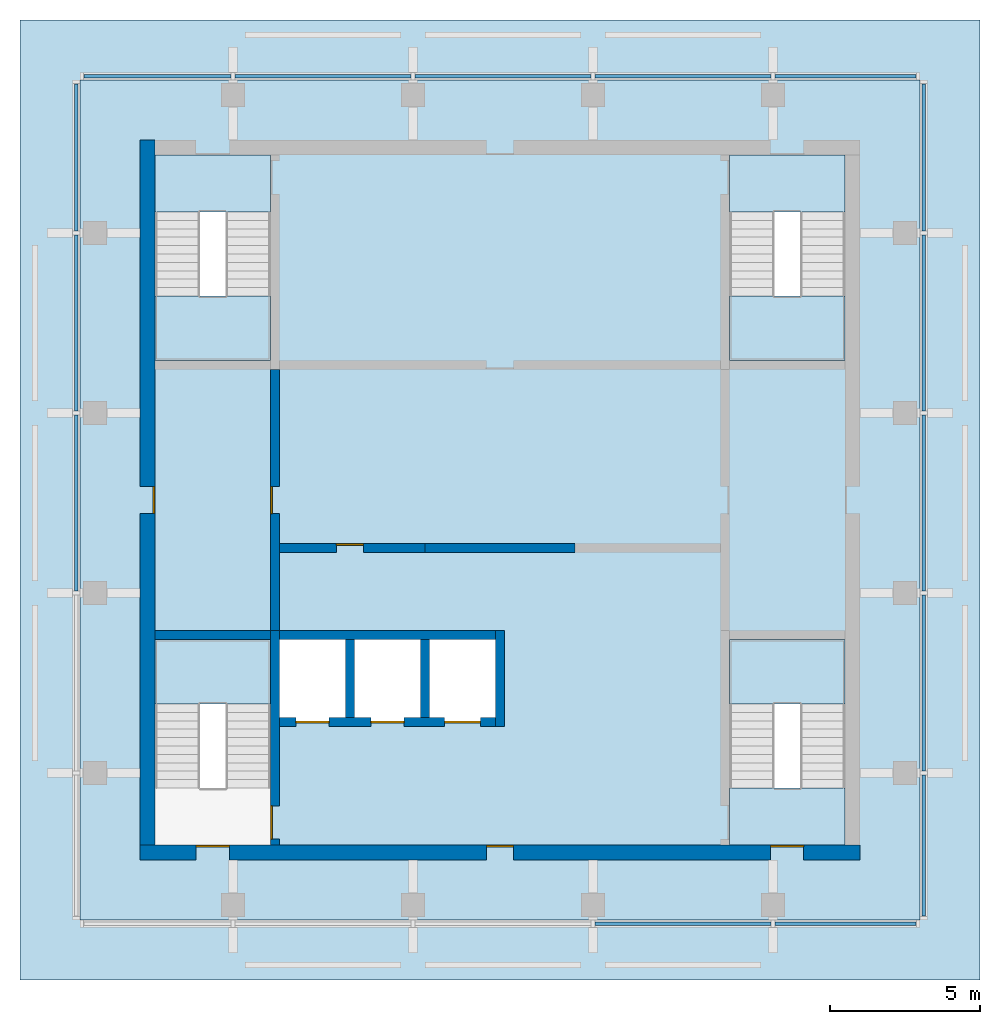
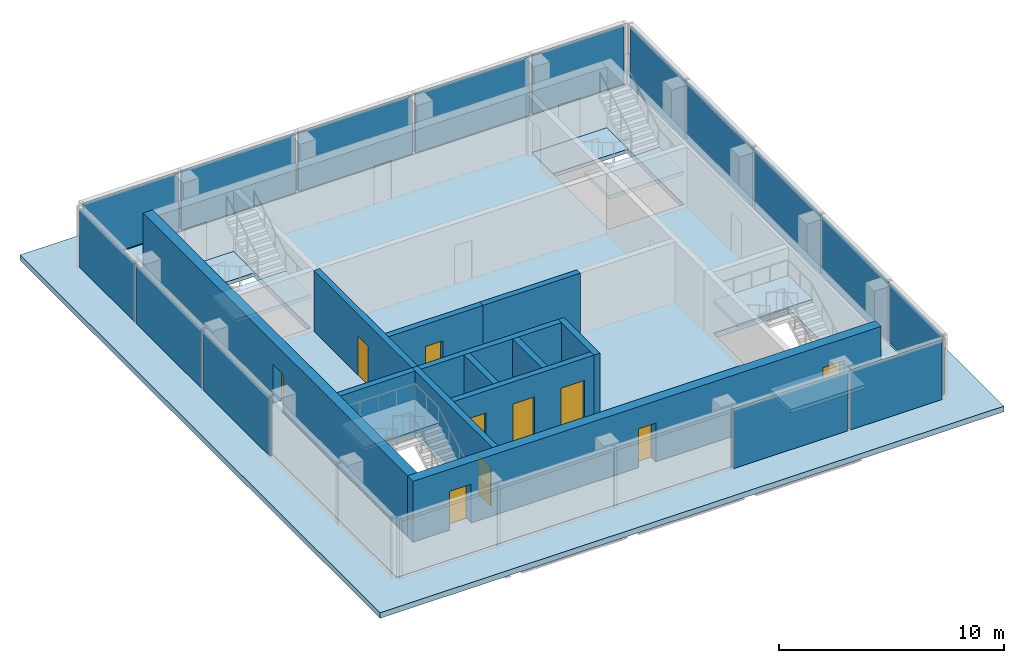
# One storey, part 2 of 4: 15 plates, 12 walls, 10 doors, 9 slabs, 10 openings, 8 elements without a shape of their own.
"""IFC4 building model written with IfcOpenShell, lengths in metres."""

from ifc_helpers import new_model, si_unit, direction, frame, frame_2d, origin, origin_2d, place, context, subcontext, project, spatial, polyline, rectangle, outline, extrude, material, layer, layer_set, type_object, element, fill, aggregate, save


model = new_model("IFC4")

# Units and contexts
model_context = context("Model", 3, precision=1e-05, world=origin(), true_north=direction((0.0, 1.0)))
body_context = subcontext(model_context, "Body", "Model", "MODEL_VIEW")
ifc_project = project(units=[si_unit("LENGTHUNIT", "METRE"), si_unit("AREAUNIT", "SQUARE_METRE"), si_unit("VOLUMEUNIT", "CUBIC_METRE"), si_unit("PLANEANGLEUNIT", "RADIAN"), si_unit("MASSUNIT", "GRAM", prefix="KILO")], contexts=[model_context])

# Site, building, storey
site_placement = place(None, origin())
site = spatial("IfcSite", under=ifc_project, at=site_placement, CompositionType="ELEMENT")
building_placement = place(site_placement, origin())
building = spatial("IfcBuilding", under=site, at=building_placement, Name="Amberfall Residences", CompositionType="ELEMENT")
storey_placement = place(building_placement, frame((0.0, 0.0, 298.0)))
storey = spatial("IfcBuildingStorey", under=building, at=storey_placement, Name="L80 Crown", CompositionType="ELEMENT", Elevation=298.0)

# Curtain wall, plates
ifc_material_1 = material(Name="Bronze anodised aluminium and glass", Category="aluminium")
curtain_wall_type = type_object("IfcCurtainWallType", Name="Curtain wall CW6 crown louvre", PredefinedType="USERDEFINED", material=ifc_material_1)
curtain_wall_1_placement = place(storey_placement, origin())
curtain_wall_1 = element("IfcCurtainWall", 1, at=curtain_wall_1_placement, inside=storey, type_object=curtain_wall_type, Name="Curtain wall L80 Crown S S1", ObjectType="UNITISED CURTAIN WALL", PredefinedType="USERDEFINED")
ifc_material_2 = material(Name="Bronze aluminium louvre", Category="aluminium")
ifc_layer_1 = layer(ifc_material_2, 0.1201171875)
ifc_layer_set_1 = layer_set([ifc_layer_1], Name="CW6 panel 120 louvre")
plate_type = type_object("IfcPlateType", Name="CW6 panel 120 louvre", PredefinedType="CURTAIN_PANEL", material=ifc_layer_set_1)
plate_1_placement = place(storey_placement, frame((80.60009765625, 31.375, 0.0), z_axis=(0.0, 0.0, 1.0), x_axis=(1.0, 0.0, 0.0)))
plate_1 = element("IfcPlate", 2, at=plate_1_placement, type_object=plate_type, Name="CW6 panel 4.1", PredefinedType="CURTAIN_PANEL", context=body_context, shape_type="SweptSolid", body=[
    extrude(rectangle(XDim=5.85595703125, YDim=0.1201171875, at=origin_2d()), origin(), (0.0, 0.0, 1.0), 3.14990234375),
])
plate_2_placement = place(storey_placement, frame((86.02001953125, 31.375, 0.0), z_axis=(0.0, 0.0, 1.0), x_axis=(1.0, 0.0, 0.0)))
plate_2 = element("IfcPlate", 3, at=plate_2_placement, type_object=plate_type, Name="CW6 panel 5.1", PredefinedType="CURTAIN_PANEL", context=body_context, shape_type="SweptSolid", body=[
    extrude(rectangle(XDim=4.696044921875, YDim=0.1201171875, at=origin_2d()), origin(), (0.0, 0.0, 1.0), 3.14990234375),
])
aggregate(curtain_wall_1, [plate_1, plate_2])

curtain_wall_2_placement = place(storey_placement, origin())
curtain_wall_2 = element("IfcCurtainWall", 4, at=curtain_wall_2_placement, inside=storey, type_object=curtain_wall_type, Name="Curtain wall L80 Crown E E1", ObjectType="UNITISED CURTAIN WALL", PredefinedType="USERDEFINED")
plate_3_placement = place(storey_placement, frame((88.625, 33.97998046875, 0.0), z_axis=(0.0, 0.0, 1.0), x_axis=(0.0, 1.0, 0.0)))
plate_3 = element("IfcPlate", 5, at=plate_3_placement, type_object=plate_type, Name="CW6 panel 1.1", PredefinedType="CURTAIN_PANEL", context=body_context, shape_type="SweptSolid", body=[
    extrude(rectangle(XDim=4.696044921875, YDim=0.1201171875, at=origin_2d()), origin(), (0.0, 0.0, 1.0), 3.14990234375),
])
plate_4_placement = place(storey_placement, frame((88.625, 39.39990234375, 0.0), z_axis=(0.0, 0.0, 1.0), x_axis=(0.0, 1.0, 0.0)))
plate_4 = element("IfcPlate", 6, at=plate_4_placement, type_object=plate_type, Name="CW6 panel 2.1", PredefinedType="CURTAIN_PANEL", context=body_context, shape_type="SweptSolid", body=[
    extrude(rectangle(XDim=5.85595703125, YDim=0.1201171875, at=origin_2d()), origin(), (0.0, 0.0, 1.0), 3.14990234375),
])
plate_5_placement = place(storey_placement, frame((88.625, 45.39990234375, 0.0), z_axis=(0.0, 0.0, 1.0), x_axis=(0.0, 1.0, 0.0)))
plate_5 = element("IfcPlate", 7, at=plate_5_placement, type_object=plate_type, Name="CW6 panel 3.1", PredefinedType="CURTAIN_PANEL", context=body_context, shape_type="SweptSolid", body=[
    extrude(rectangle(XDim=5.85595703125, YDim=0.1201171875, at=origin_2d()), origin(), (0.0, 0.0, 1.0), 3.14990234375),
])
plate_6_placement = place(storey_placement, frame((88.625, 51.39990234375, 0.0), z_axis=(0.0, 0.0, 1.0), x_axis=(0.0, 1.0, 0.0)))
plate_6 = element("IfcPlate", 8, at=plate_6_placement, type_object=plate_type, Name="CW6 panel 4.1", PredefinedType="CURTAIN_PANEL", context=body_context, shape_type="SweptSolid", body=[
    extrude(rectangle(XDim=5.85595703125, YDim=0.1201171875, at=origin_2d()), origin(), (0.0, 0.0, 1.0), 3.14990234375),
])
plate_7_placement = place(storey_placement, frame((88.625, 56.919921875, 0.0), z_axis=(0.0, 0.0, 1.0), x_axis=(0.0, 1.0, 0.0)))
plate_7 = element("IfcPlate", 9, at=plate_7_placement, type_object=plate_type, Name="CW6 panel 5.1", PredefinedType="CURTAIN_PANEL", context=body_context, shape_type="SweptSolid", body=[
    extrude(rectangle(XDim=4.89599609375, YDim=0.1201171875, at=origin_2d()), origin(), (0.0, 0.0, 1.0), 3.14990234375),
])
aggregate(curtain_wall_2, [plate_3, plate_4, plate_5, plate_6, plate_7])

curtain_wall_3_placement = place(storey_placement, origin())
curtain_wall_3 = element("IfcCurtainWall", 10, at=curtain_wall_3_placement, inside=storey, type_object=curtain_wall_type, Name="Curtain wall L80 Crown N N1", ObjectType="UNITISED CURTAIN WALL", PredefinedType="USERDEFINED")
plate_8_placement = place(storey_placement, frame((86.02001953125, 59.625, 0.0), z_axis=(0.0, 0.0, 1.0), x_axis=(-1.0, 0.0, 0.0)))
plate_8 = element("IfcPlate", 11, at=plate_8_placement, type_object=plate_type, Name="CW6 panel 1.1", PredefinedType="CURTAIN_PANEL", context=body_context, shape_type="SweptSolid", body=[
    extrude(rectangle(XDim=4.696044921875, YDim=0.1201171875, at=origin_2d()), origin(), (0.0, 0.0, 1.0), 3.14990234375),
])
plate_9_placement = place(storey_placement, frame((80.60009765625, 59.625, 0.0), z_axis=(0.0, 0.0, 1.0), x_axis=(-1.0, 0.0, 0.0)))
plate_9 = element("IfcPlate", 12, at=plate_9_placement, type_object=plate_type, Name="CW6 panel 2.1", PredefinedType="CURTAIN_PANEL", context=body_context, shape_type="SweptSolid", body=[
    extrude(rectangle(XDim=5.85595703125, YDim=0.1201171875, at=origin_2d()), origin(), (0.0, 0.0, 1.0), 3.14990234375),
])
plate_10_placement = place(storey_placement, frame((74.60009765625, 59.625, 0.0), z_axis=(0.0, 0.0, 1.0), x_axis=(-1.0, 0.0, 0.0)))
plate_10 = element("IfcPlate", 13, at=plate_10_placement, type_object=plate_type, Name="CW6 panel 3.1", PredefinedType="CURTAIN_PANEL", context=body_context, shape_type="SweptSolid", body=[
    extrude(rectangle(XDim=5.85595703125, YDim=0.1201171875, at=origin_2d()), origin(), (0.0, 0.0, 1.0), 3.14990234375),
])
plate_11_placement = place(storey_placement, frame((68.60009765625, 59.625, 0.0), z_axis=(0.0, 0.0, 1.0), x_axis=(-1.0, 0.0, 0.0)))
plate_11 = element("IfcPlate", 14, at=plate_11_placement, type_object=plate_type, Name="CW6 panel 4.1", PredefinedType="CURTAIN_PANEL", context=body_context, shape_type="SweptSolid", body=[
    extrude(rectangle(XDim=5.85595703125, YDim=0.1201171875, at=origin_2d()), origin(), (0.0, 0.0, 1.0), 3.14990234375),
])
plate_12_placement = place(storey_placement, frame((63.080078125, 59.625, 0.0), z_axis=(0.0, 0.0, 1.0), x_axis=(-1.0, 0.0, 0.0)))
plate_12 = element("IfcPlate", 15, at=plate_12_placement, type_object=plate_type, Name="CW6 panel 5.1", PredefinedType="CURTAIN_PANEL", context=body_context, shape_type="SweptSolid", body=[
    extrude(rectangle(XDim=4.89599609375, YDim=0.1201171875, at=origin_2d()), origin(), (0.0, 0.0, 1.0), 3.14990234375),
])
aggregate(curtain_wall_3, [plate_8, plate_9, plate_10, plate_11, plate_12])

curtain_wall_4_placement = place(storey_placement, origin())
curtain_wall_4 = element("IfcCurtainWall", 16, at=curtain_wall_4_placement, inside=storey, type_object=curtain_wall_type, Name="Curtain wall L80 Crown W W1", ObjectType="UNITISED CURTAIN WALL", PredefinedType="USERDEFINED")
plate_13_placement = place(storey_placement, frame((60.375, 56.919921875, 0.0), z_axis=(0.0, 0.0, 1.0), x_axis=(0.0, -1.0, 0.0)))
plate_13 = element("IfcPlate", 17, at=plate_13_placement, type_object=plate_type, Name="CW6 panel 1.1", PredefinedType="CURTAIN_PANEL", context=body_context, shape_type="SweptSolid", body=[
    extrude(rectangle(XDim=4.89599609375, YDim=0.1201171875, at=origin_2d()), origin(), (0.0, 0.0, 1.0), 3.14990234375),
])
plate_14_placement = place(storey_placement, frame((60.375, 51.39990234375, 0.0), z_axis=(0.0, 0.0, 1.0), x_axis=(0.0, -1.0, 0.0)))
plate_14 = element("IfcPlate", 18, at=plate_14_placement, type_object=plate_type, Name="CW6 panel 2.1", PredefinedType="CURTAIN_PANEL", context=body_context, shape_type="SweptSolid", body=[
    extrude(rectangle(XDim=5.85595703125, YDim=0.1201171875, at=origin_2d()), origin(), (0.0, 0.0, 1.0), 3.14990234375),
])
plate_15_placement = place(storey_placement, frame((60.375, 45.39990234375, 0.0), z_axis=(0.0, 0.0, 1.0), x_axis=(0.0, -1.0, 0.0)))
plate_15 = element("IfcPlate", 19, at=plate_15_placement, type_object=plate_type, Name="CW6 panel 3.1", PredefinedType="CURTAIN_PANEL", context=body_context, shape_type="SweptSolid", body=[
    extrude(rectangle(XDim=5.85595703125, YDim=0.1201171875, at=origin_2d()), origin(), (0.0, 0.0, 1.0), 3.14990234375),
])
aggregate(curtain_wall_4, [plate_13, plate_14, plate_15])

# Slabs
ifc_material_3 = material(Name="Concrete C50", Category="concrete")
ifc_layer_2 = layer(ifc_material_3, 0.300048828125)
ifc_layer_set_2 = layer_set([ifc_layer_2], Name="Crown floor slab 300 C50")
slab_type_1 = type_object("IfcSlabType", Name="Crown floor slab 300 C50", PredefinedType="FLOOR", material=ifc_layer_set_2)
slab_1_placement = place(storey_placement, frame((0.0, 0.0, -0.300048828125)))
element("IfcSlab", 20, at=slab_1_placement, inside=storey, type_object=slab_type_1, Name="Floor slab S22 L80 Crown", PredefinedType="FLOOR", context=body_context, shape_type="SweptSolid", body=[
    extrude(outline(polyline([(60.5, 59.5), (88.5, 59.5), (88.5, 31.5), (60.5, 31.5), (60.5, 59.5)]), holes=[polyline([(86.0, 40.85009765625), (82.14990234375, 40.85009765625), (82.14990234375, 34.0), (86.0, 34.0), (86.0, 40.85009765625)]), polyline([(86.0, 57.0), (82.14990234375, 57.0), (82.14990234375, 50.14990234375), (86.0, 50.14990234375), (86.0, 57.0)]), polyline([(69.5, 38.10009765625), (72.0, 38.10009765625), (74.5, 38.10009765625), (74.5, 41.0), (72.0, 41.0), (69.5, 41.0), (67.0, 41.0), (67.0, 38.10009765625), (69.5, 38.10009765625)]), polyline([(63.0, 40.85009765625), (63.0, 34.0), (66.85009765625, 34.0), (66.85009765625, 40.85009765625), (63.0, 40.85009765625)]), polyline([(66.85009765625, 57.0), (63.0, 57.0), (63.0, 50.14990234375), (66.85009765625, 50.14990234375), (66.85009765625, 57.0)])]), origin(), (0.0, 0.0, 1.0), 0.300048828125),
])
ifc_layer_3 = layer(ifc_material_3, 0.300048828125)
ifc_layer_set_3 = layer_set([ifc_layer_3], Name="Roof slab 300 C50")
slab_type_2 = type_object("IfcSlabType", Name="Roof slab 300 C50", PredefinedType="ROOF", material=ifc_layer_set_3)
slab_2_placement = place(storey_placement, frame((0.0, 0.0, -0.300048828125)))
element("IfcSlab", 21, at=slab_2_placement, inside=storey, type_object=slab_type_2, Name="Roof slab S23 L80 Crown 1", PredefinedType="ROOF", context=body_context, shape_type="SweptSolid", body=[
    extrude(outline(polyline([(58.5, 29.5), (58.5, 61.5), (90.5, 61.5), (90.5, 29.5), (58.5, 29.5)]), holes=[polyline([(88.5, 59.5), (60.5, 59.5), (60.5, 31.5), (88.5, 31.5), (88.5, 59.5)])]), origin(), (0.0, 0.0, 1.0), 0.300048828125),
])

# Stair, slab
ifc_material_4 = material(Name="Concrete C40", Category="concrete")
stair_type = type_object("IfcStairType", Name="Exit stair 22 risers 163.6 mm", PredefinedType="HALF_TURN_STAIR", material=ifc_material_4)
stair_1_placement = place(storey_placement, origin())
stair_1 = element("IfcStair", 22, at=stair_1_placement, inside=storey, type_object=stair_type, Name="L80 Crown Exit stair 1", PredefinedType="HALF_TURN_STAIR")
ifc_layer_4 = layer(ifc_material_4, 0.199951171875)
ifc_layer_set_4 = layer_set([ifc_layer_4], Name="Stair landing 200")
slab_type_3 = type_object("IfcSlabType", Name="Stair landing 200", PredefinedType="LANDING", material=ifc_layer_set_4)
slab_3_placement = place(storey_placement, frame((0.0, 0.0, 1.60009765625)))
slab_3 = element("IfcSlab", 23, at=slab_3_placement, type_object=slab_type_3, Name="ST5 landing 1", PredefinedType="LANDING", context=body_context, shape_type="SweptSolid", body=[
    extrude(outline(polyline([(66.85009765625, 38.699951171875), (66.85009765625, 40.85009765625), (63.0, 40.85009765625), (63.0, 38.699951171875), (66.85009765625, 38.699951171875)])), origin(), (0.0, 0.0, 1.0), 0.199951171875),
])
aggregate(stair_1, [slab_3])

# Stair, slabs
stair_2_placement = place(storey_placement, origin())
stair_2 = element("IfcStair", 24, at=stair_2_placement, inside=storey, type_object=stair_type, Name="L80 Crown Exit stair 2", PredefinedType="HALF_TURN_STAIR")
slab_4_placement = place(storey_placement, frame((0.0, 0.0, 1.60009765625)))
slab_4 = element("IfcSlab", 25, at=slab_4_placement, type_object=slab_type_3, Name="ST5 landing 1", PredefinedType="LANDING", context=body_context, shape_type="SweptSolid", body=[
    extrude(outline(polyline([(86.0, 38.699951171875), (86.0, 40.85009765625), (82.14990234375, 40.85009765625), (82.14990234375, 38.699951171875), (86.0, 38.699951171875)])), origin(), (0.0, 0.0, 1.0), 0.199951171875),
])
slab_5_placement = place(storey_placement, frame((0.0, 0.0, -0.199951171875)))
slab_5 = element("IfcSlab", 26, at=slab_5_placement, type_object=slab_type_3, Name="ST5 landing 2", PredefinedType="LANDING", context=body_context, shape_type="SweptSolid", body=[
    extrude(outline(polyline([(86.0, 34.0), (86.0, 35.89990234375), (82.14990234375, 35.89990234375), (82.14990234375, 34.0), (86.0, 34.0)])), origin(), (0.0, 0.0, 1.0), 0.199951171875),
])
aggregate(stair_2, [slab_4, slab_5])

stair_3_placement = place(storey_placement, origin())
stair_3 = element("IfcStair", 27, at=stair_3_placement, inside=storey, type_object=stair_type, Name="L80 Crown Exit stair 3", PredefinedType="HALF_TURN_STAIR")
slab_6_placement = place(storey_placement, frame((0.0, 0.0, 1.60009765625)))
slab_6 = element("IfcSlab", 28, at=slab_6_placement, type_object=slab_type_3, Name="ST5 landing 1", PredefinedType="LANDING", context=body_context, shape_type="SweptSolid", body=[
    extrude(outline(polyline([(82.14990234375, 52.300048828125), (82.14990234375, 50.14990234375), (86.0, 50.14990234375), (86.0, 52.300048828125), (82.14990234375, 52.300048828125)])), origin(), (0.0, 0.0, 1.0), 0.199951171875),
])
slab_7_placement = place(storey_placement, frame((0.0, 0.0, -0.199951171875)))
slab_7 = element("IfcSlab", 29, at=slab_7_placement, type_object=slab_type_3, Name="ST5 landing 2", PredefinedType="LANDING", context=body_context, shape_type="SweptSolid", body=[
    extrude(outline(polyline([(82.14990234375, 57.0), (82.14990234375, 55.10009765625), (86.0, 55.10009765625), (86.0, 57.0), (82.14990234375, 57.0)])), origin(), (0.0, 0.0, 1.0), 0.199951171875),
])
aggregate(stair_3, [slab_6, slab_7])

stair_4_placement = place(storey_placement, origin())
stair_4 = element("IfcStair", 30, at=stair_4_placement, inside=storey, type_object=stair_type, Name="L80 Crown Exit stair 4", PredefinedType="HALF_TURN_STAIR")
slab_8_placement = place(storey_placement, frame((0.0, 0.0, 1.60009765625)))
slab_8 = element("IfcSlab", 31, at=slab_8_placement, type_object=slab_type_3, Name="ST5 landing 1", PredefinedType="LANDING", context=body_context, shape_type="SweptSolid", body=[
    extrude(outline(polyline([(63.0, 52.300048828125), (63.0, 50.14990234375), (66.85009765625, 50.14990234375), (66.85009765625, 52.300048828125), (63.0, 52.300048828125)])), origin(), (0.0, 0.0, 1.0), 0.199951171875),
])
slab_9_placement = place(storey_placement, frame((0.0, 0.0, -0.199951171875)))
slab_9 = element("IfcSlab", 32, at=slab_9_placement, type_object=slab_type_3, Name="ST5 landing 2", PredefinedType="LANDING", context=body_context, shape_type="SweptSolid", body=[
    extrude(outline(polyline([(63.0, 57.0), (63.0, 55.10009765625), (66.85009765625, 55.10009765625), (66.85009765625, 57.0), (63.0, 57.0)])), origin(), (0.0, 0.0, 1.0), 0.199951171875),
])
aggregate(stair_4, [slab_8, slab_9])

# Wall, opening, door
ifc_material_5 = material(Name="Concrete blockwork", Category="masonry")
ifc_layer_5 = layer(ifc_material_5, 0.300048828125)
ifc_layer_set_5 = layer_set([ifc_layer_5], Name="Blockwork partition 300")
wall_type_1 = type_object("IfcWallType", Name="Blockwork partition 300", PredefinedType="PARTITIONING", material=ifc_layer_set_5)
wall_1_placement = place(storey_placement, frame((67.0, 41.14990234375, 0.0), z_axis=(0.0, 0.0, 1.0), x_axis=(0.0, 1.0, 0.0)))
wall_1 = element("IfcWall", 33, at=wall_1_placement, inside=storey, type_object=wall_type_1, Name="L80 Crown core wall W1M", PredefinedType="PARTITIONING", context=body_context, shape_type="SweptSolid", body=[
    extrude(rectangle(XDim=8.7001953125, YDim=0.300048828125, at=frame_2d((4.35009765625, 0.0))), origin(), (0.0, 0.0, 1.0), 3.300048828125),
])
opening_1_placement = place(wall_1_placement, frame((3.89990234375, 0.0, 0.0)))
opening_1 = element("IfcOpeningElement", 34, at=opening_1_placement, cuts=wall_1, Name="Opening RD1", PredefinedType="OPENING", context=body_context, shape_type="SweptSolid", body=[
    extrude(rectangle(XDim=0.89990234375, YDim=2.10009765625, at=frame_2d((0.449951171875, 1.050048828125))), frame((0.0, 0.159912109375, 0.0), z_axis=(0.0, -1.0, 0.0), x_axis=(1.0, 0.0, 0.0)), (0.0, 0.0, 1.0), 0.320068359375),
])
ifc_material_6 = material(Name="Steel fire door set", Category="steel")
door_type_1 = type_object("IfcDoorType", Name="Service room door 900 x 2100", OperationType="SINGLE_SWING_LEFT", PredefinedType="DOOR", material=ifc_material_6)
door_1_placement = place(opening_1_placement, origin())
door_1 = element("IfcDoor", 35, at=door_1_placement, inside=storey, type_object=door_type_1, Name="RD1 L80 Crown", OperationType="SINGLE_SWING_LEFT", OverallHeight=2.10009765625, OverallWidth=0.89990234375, PredefinedType="DOOR", context=body_context, shape_type="SweptSolid", body=[
    extrude(rectangle(XDim=0.89990234375, YDim=2.10009765625, at=frame_2d((0.449951171875, 1.050048828125))), frame((0.0, 0.1376953125, 0.0), z_axis=(0.0, -1.0, 0.0), x_axis=(1.0, 0.0, 0.0)), (0.0, 0.0, 1.0), 0.050048828125),
])
fill(opening_1, door_1)

wall_2_placement = place(storey_placement, frame((67.14990234375, 43.89990234375, 0.0), z_axis=(0.0, 0.0, 1.0), x_axis=(1.0, 0.0, 0.0)))
wall_2 = element("IfcWall", 36, at=wall_2_placement, inside=storey, type_object=wall_type_1, Name="L80 Crown core wall W6", PredefinedType="PARTITIONING", context=body_context, shape_type="SweptSolid", body=[
    extrude(rectangle(XDim=4.85009765625, YDim=0.300048828125, at=frame_2d((2.425048828125, 0.0))), origin(), (0.0, 0.0, 1.0), 3.300048828125),
])
opening_2_placement = place(wall_2_placement, frame((1.89990234375, 0.0, 0.0)))
opening_2 = element("IfcOpeningElement", 37, at=opening_2_placement, cuts=wall_2, Name="Opening RD1", PredefinedType="OPENING", context=body_context, shape_type="SweptSolid", body=[
    extrude(rectangle(XDim=0.89990234375, YDim=2.10009765625, at=frame_2d((0.449951171875, 1.050048828125))), frame((0.0, 0.159912109375, 0.0), z_axis=(0.0, -1.0, 0.0), x_axis=(1.0, 0.0, 0.0)), (0.0, 0.0, 1.0), 0.320068359375),
])
door_2_placement = place(opening_2_placement, origin())
door_2 = element("IfcDoor", 38, at=door_2_placement, inside=storey, type_object=door_type_1, Name="RD1 L80 Crown", OperationType="SINGLE_SWING_LEFT", OverallHeight=2.10009765625, OverallWidth=0.89990234375, PredefinedType="DOOR", context=body_context, shape_type="SweptSolid", body=[
    extrude(rectangle(XDim=0.89990234375, YDim=2.10009765625, at=frame_2d((0.449951171875, 1.050048828125))), frame((0.0, 0.1376953125, 0.0), z_axis=(0.0, -1.0, 0.0), x_axis=(1.0, 0.0, 0.0)), (0.0, 0.0, 1.0), 0.050048828125),
])
fill(opening_2, door_2)

# Wall, openings, doors
wall_3_placement = place(storey_placement, frame((67.14990234375, 38.10009765625, 0.0), z_axis=(0.0, 0.0, 1.0), x_axis=(1.0, 0.0, 0.0)))
wall_3 = element("IfcWall", 39, at=wall_3_placement, inside=storey, type_object=wall_type_1, Name="L80 Crown core wall FFF", PredefinedType="PARTITIONING", context=body_context, shape_type="SweptSolid", body=[
    extrude(rectangle(XDim=7.2001953125, YDim=0.300048828125, at=frame_2d((3.60009765625, 0.0))), origin(), (0.0, 0.0, 1.0), 3.300048828125),
])
opening_3_placement = place(wall_3_placement, frame((0.550048828125, 0.0, 0.0)))
opening_3 = element("IfcOpeningElement", 40, at=opening_3_placement, cuts=wall_3, Name="Opening LD2", PredefinedType="OPENING", context=body_context, shape_type="SweptSolid", body=[
    extrude(rectangle(XDim=1.10009765625, YDim=2.10009765625, at=frame_2d((0.550048828125, 1.050048828125))), frame((0.0, 0.159912109375, 0.0), z_axis=(0.0, -1.0, 0.0), x_axis=(1.0, 0.0, 0.0)), (0.0, 0.0, 1.0), 0.320068359375),
])
opening_4_placement = place(wall_3_placement, frame((3.050048828125, 0.0, 0.0)))
opening_4 = element("IfcOpeningElement", 41, at=opening_4_placement, cuts=wall_3, Name="Opening LD2", PredefinedType="OPENING", context=body_context, shape_type="SweptSolid", body=[
    extrude(rectangle(XDim=1.10009765625, YDim=2.10009765625, at=frame_2d((0.550048828125, 1.050048828125))), frame((0.0, 0.159912109375, 0.0), z_axis=(0.0, -1.0, 0.0), x_axis=(1.0, 0.0, 0.0)), (0.0, 0.0, 1.0), 0.320068359375),
])
opening_5_placement = place(wall_3_placement, frame((5.5, 0.0, 0.0)))
opening_5 = element("IfcOpeningElement", 42, at=opening_5_placement, cuts=wall_3, Name="Opening LD3", PredefinedType="OPENING", context=body_context, shape_type="SweptSolid", body=[
    extrude(rectangle(XDim=1.199951171875, YDim=2.10009765625, at=frame_2d((0.60009765625, 1.050048828125))), frame((0.0, 0.159912109375, 0.0), z_axis=(0.0, -1.0, 0.0), x_axis=(1.0, 0.0, 0.0)), (0.0, 0.0, 1.0), 0.320068359375),
])
door_type_2 = type_object("IfcDoorType", Name="Firefighting lift landing door 1100 x 2100", OperationType="DOUBLE_DOOR_SLIDING", PredefinedType="DOOR", material=ifc_material_6)
door_3_placement = place(opening_3_placement, origin())
door_3 = element("IfcDoor", 43, at=door_3_placement, inside=storey, type_object=door_type_2, Name="Landing door FF1 L80 Crown", OperationType="DOUBLE_DOOR_SLIDING", OverallHeight=2.10009765625, OverallWidth=1.10009765625, PredefinedType="DOOR", context=body_context, shape_type="SweptSolid", body=[
    extrude(rectangle(XDim=1.10009765625, YDim=2.10009765625, at=frame_2d((0.550048828125, 1.050048828125))), frame((0.0, 0.02490234375, 0.0), z_axis=(0.0, -1.0, 0.0), x_axis=(1.0, 0.0, 0.0)), (0.0, 0.0, 1.0), 0.050048828125),
])
fill(opening_3, door_3)
door_4_placement = place(opening_4_placement, origin())
door_4 = element("IfcDoor", 44, at=door_4_placement, inside=storey, type_object=door_type_2, Name="Landing door FF2 L80 Crown", OperationType="DOUBLE_DOOR_SLIDING", OverallHeight=2.10009765625, OverallWidth=1.10009765625, PredefinedType="DOOR", context=body_context, shape_type="SweptSolid", body=[
    extrude(rectangle(XDim=1.10009765625, YDim=2.10009765625, at=frame_2d((0.550048828125, 1.050048828125))), frame((0.0, 0.02490234375, 0.0), z_axis=(0.0, -1.0, 0.0), x_axis=(1.0, 0.0, 0.0)), (0.0, 0.0, 1.0), 0.050048828125),
])
fill(opening_4, door_4)
door_type_3 = type_object("IfcDoorType", Name="Service lift landing door 1200 x 2100", OperationType="DOUBLE_DOOR_SLIDING", PredefinedType="DOOR", material=ifc_material_6)
door_5_placement = place(opening_5_placement, origin())
door_5 = element("IfcDoor", 45, at=door_5_placement, inside=storey, type_object=door_type_3, Name="Landing door SL1 L80 Crown", OperationType="DOUBLE_DOOR_SLIDING", OverallHeight=2.10009765625, OverallWidth=1.199951171875, PredefinedType="DOOR", context=body_context, shape_type="SweptSolid", body=[
    extrude(rectangle(XDim=1.199951171875, YDim=2.10009765625, at=frame_2d((0.60009765625, 1.050048828125))), frame((0.0, 0.02490234375, 0.0), z_axis=(0.0, -1.0, 0.0), x_axis=(1.0, 0.0, 0.0)), (0.0, 0.0, 1.0), 0.050048828125),
])
fill(opening_5, door_5)

# Walls
wall_4_placement = place(storey_placement, frame((67.14990234375, 41.0, 0.0), z_axis=(0.0, 0.0, 1.0), x_axis=(1.0, 0.0, 0.0)))
element("IfcWall", 46, at=wall_4_placement, inside=storey, type_object=wall_type_1, Name="L80 Crown core wall FFS", PredefinedType="PARTITIONING", context=body_context, shape_type="SweptSolid", body=[
    extrude(rectangle(XDim=7.2001953125, YDim=0.300048828125, at=frame_2d((3.60009765625, 0.0))), origin(), (0.0, 0.0, 1.0), 3.300048828125),
])
for number, where, z_axis, x_axis, name in (
    (47, (69.5, 38.25, 0.0), (0.0, 0.0, 1.0), (0.0, 1.0, 0.0), "L80 Crown core wall FFD1"),
    (48, (72.0, 38.25, 0.0), (0.0, 0.0, 1.0), (0.0, 1.0, 0.0), "L80 Crown core wall FFD2"),
):
    element("IfcWall", number, at=place(storey_placement, frame(where, z_axis=z_axis, x_axis=x_axis)), inside=storey, type_object=wall_type_1, Name=name, PredefinedType="PARTITIONING", context=body_context, shape_type="SweptSolid", body=[
        extrude(rectangle(XDim=2.60009765625, YDim=0.300048828125, at=frame_2d((1.300048828125, 0.0))), origin(), (0.0, 0.0, 1.0), 3.300048828125),
    ])
wall_5_placement = place(storey_placement, frame((74.5, 37.949951171875, 0.0), z_axis=(0.0, 0.0, 1.0), x_axis=(0.0, 1.0, 0.0)))
element("IfcWall", 49, at=wall_5_placement, inside=storey, type_object=wall_type_1, Name="L80 Crown core wall FFD3", PredefinedType="PARTITIONING", context=body_context, shape_type="SweptSolid", body=[
    extrude(rectangle(XDim=3.199951171875, YDim=0.300048828125, at=frame_2d((1.60009765625, 0.0))), origin(), (0.0, 0.0, 1.0), 3.300048828125),
])
ifc_layer_6 = layer(ifc_material_3, 0.300048828125)
ifc_layer_set_6 = layer_set([ifc_layer_6], Name="Core wall 300 C50")
wall_type_2 = type_object("IfcWallType", Name="Core wall 300 C50", PredefinedType="SHEAR", material=ifc_layer_set_6)
wall_6_placement = place(storey_placement, frame((72.0, 43.89990234375, 0.0), z_axis=(0.0, 0.0, 1.0), x_axis=(1.0, 0.0, 0.0)))
element("IfcWall", 50, at=wall_6_placement, inside=storey, type_object=wall_type_2, Name="Spire pier wall RW10 L80 Crown", PredefinedType="SHEAR", context=body_context, shape_type="SweptSolid", body=[
    extrude(rectangle(XDim=5.0, YDim=0.300048828125, at=frame_2d((2.5, 0.0))), origin(), (0.0, 0.0, 1.0), 3.300048828125),
])

# Wall, openings, doors
ifc_layer_7 = layer(ifc_material_3, 0.5)
ifc_layer_set_7 = layer_set([ifc_layer_7], Name="Core wall 500 C50")
wall_type_3 = type_object("IfcWallType", Name="Core wall 500 C50", PredefinedType="SHEAR", material=ifc_layer_set_7)
wall_7_placement = place(storey_placement, frame((62.5, 33.75, 0.0), z_axis=(0.0, 0.0, 1.0), x_axis=(1.0, 0.0, 0.0)))
wall_7 = element("IfcWall", 51, at=wall_7_placement, inside=storey, type_object=wall_type_3, Name="Core wall RW9 L80 Crown OS", PredefinedType="SHEAR", context=body_context, shape_type="SweptSolid", body=[
    extrude(rectangle(XDim=24.0, YDim=0.5, at=frame_2d((12.0, 0.0))), origin(), (0.0, 0.0, 1.0), 3.300048828125),
])
opening_6_placement = place(wall_7_placement, frame((1.875, 0.0, 0.0)))
opening_6 = element("IfcOpeningElement", 52, at=opening_6_placement, cuts=wall_7, Name="Opening SD1", PredefinedType="OPENING", context=body_context, shape_type="SweptSolid", body=[
    extrude(rectangle(XDim=1.10009765625, YDim=2.10009765625, at=frame_2d((0.550048828125, 1.050048828125))), frame((0.0, 0.260009765625, 0.0), z_axis=(0.0, -1.0, 0.0), x_axis=(1.0, 0.0, 0.0)), (0.0, 0.0, 1.0), 0.52001953125),
])
opening_7_placement = place(wall_7_placement, frame((21.02490234375, 0.0, 0.0)))
opening_7 = element("IfcOpeningElement", 53, at=opening_7_placement, cuts=wall_7, Name="Opening SD1", PredefinedType="OPENING", context=body_context, shape_type="SweptSolid", body=[
    extrude(rectangle(XDim=1.10009765625, YDim=2.10009765625, at=frame_2d((0.550048828125, 1.050048828125))), frame((0.0, 0.260009765625, 0.0), z_axis=(0.0, -1.0, 0.0), x_axis=(1.0, 0.0, 0.0)), (0.0, 0.0, 1.0), 0.52001953125),
])
opening_8_placement = place(wall_7_placement, frame((11.550048828125, 0.0, 0.0)))
opening_8 = element("IfcOpeningElement", 54, at=opening_8_placement, cuts=wall_7, Name="Opening RD1", PredefinedType="OPENING", context=body_context, shape_type="SweptSolid", body=[
    extrude(rectangle(XDim=0.89990234375, YDim=2.10009765625, at=frame_2d((0.449951171875, 1.050048828125))), frame((0.0, 0.260009765625, 0.0), z_axis=(0.0, -1.0, 0.0), x_axis=(1.0, 0.0, 0.0)), (0.0, 0.0, 1.0), 0.52001953125),
])
door_6_placement = place(opening_8_placement, origin())
door_6 = element("IfcDoor", 55, at=door_6_placement, inside=storey, type_object=door_type_1, Name="RD1 L80 Crown", OperationType="SINGLE_SWING_LEFT", OverallHeight=2.10009765625, OverallWidth=0.89990234375, PredefinedType="DOOR", context=body_context, shape_type="SweptSolid", body=[
    extrude(rectangle(XDim=0.89990234375, YDim=2.10009765625, at=frame_2d((0.449951171875, 1.050048828125))), frame((0.0, 0.2373046875, 0.0), z_axis=(0.0, -1.0, 0.0), x_axis=(1.0, 0.0, 0.0)), (0.0, 0.0, 1.0), 0.050048828125),
])
fill(opening_8, door_6)
door_type_4 = type_object("IfcDoorType", Name="Stair door 1100 x 2100", OperationType="SINGLE_SWING_LEFT", PredefinedType="DOOR", material=ifc_material_6)
door_7_placement = place(opening_6_placement, origin())
door_7 = element("IfcDoor", 56, at=door_7_placement, inside=storey, type_object=door_type_4, Name="SD1 L80 Crown", OperationType="SINGLE_SWING_LEFT", OverallHeight=2.10009765625, OverallWidth=1.10009765625, PredefinedType="DOOR", context=body_context, shape_type="SweptSolid", body=[
    extrude(rectangle(XDim=1.10009765625, YDim=2.10009765625, at=frame_2d((0.550048828125, 1.050048828125))), frame((0.0, 0.2373046875, 0.0), z_axis=(0.0, -1.0, 0.0), x_axis=(1.0, 0.0, 0.0)), (0.0, 0.0, 1.0), 0.050048828125),
])
fill(opening_6, door_7)
door_8_placement = place(opening_7_placement, origin())
door_8 = element("IfcDoor", 57, at=door_8_placement, inside=storey, type_object=door_type_4, Name="SD1 L80 Crown", OperationType="SINGLE_SWING_RIGHT", OverallHeight=2.10009765625, OverallWidth=1.10009765625, PredefinedType="DOOR", context=body_context, shape_type="SweptSolid", body=[
    extrude(rectangle(XDim=1.10009765625, YDim=2.10009765625, at=frame_2d((0.550048828125, 1.050048828125))), frame((0.0, 0.2373046875, 0.0), z_axis=(0.0, -1.0, 0.0), x_axis=(1.0, 0.0, 0.0)), (0.0, 0.0, 1.0), 0.050048828125),
])
fill(opening_7, door_8)

# Wall, opening, door
wall_8_placement = place(storey_placement, frame((62.75, 33.5, 0.0), z_axis=(0.0, 0.0, 1.0), x_axis=(0.0, 1.0, 0.0)))
wall_8 = element("IfcWall", 58, at=wall_8_placement, inside=storey, type_object=wall_type_3, Name="Core wall RW9 L80 Crown OW", PredefinedType="SHEAR", context=body_context, shape_type="SweptSolid", body=[
    extrude(rectangle(XDim=24.0, YDim=0.5, at=frame_2d((12.0, 0.0))), origin(), (0.0, 0.0, 1.0), 3.300048828125),
])
opening_9_placement = place(wall_8_placement, frame((11.550048828125, 0.0, 0.0)))
opening_9 = element("IfcOpeningElement", 59, at=opening_9_placement, cuts=wall_8, Name="Opening RD1", PredefinedType="OPENING", context=body_context, shape_type="SweptSolid", body=[
    extrude(rectangle(XDim=0.89990234375, YDim=2.10009765625, at=frame_2d((0.449951171875, 1.050048828125))), frame((0.0, 0.260009765625, 0.0), z_axis=(0.0, -1.0, 0.0), x_axis=(1.0, 0.0, 0.0)), (0.0, 0.0, 1.0), 0.52001953125),
])
door_9_placement = place(opening_9_placement, origin())
door_9 = element("IfcDoor", 60, at=door_9_placement, inside=storey, type_object=door_type_1, Name="RD1 L80 Crown", OperationType="SINGLE_SWING_LEFT", OverallHeight=2.10009765625, OverallWidth=0.89990234375, PredefinedType="DOOR", context=body_context, shape_type="SweptSolid", body=[
    extrude(rectangle(XDim=0.89990234375, YDim=2.10009765625, at=frame_2d((0.449951171875, 1.050048828125))), frame((0.0, -0.1875, 0.0), z_axis=(0.0, -1.0, 0.0), x_axis=(1.0, 0.0, 0.0)), (0.0, 0.0, 1.0), 0.050048828125),
])
fill(opening_9, door_9)

ifc_layer_8 = layer(ifc_material_3, 0.300048828125)
ifc_layer_set_8 = layer_set([ifc_layer_8], Name="Stair well wall 300 C50")
wall_type_4 = type_object("IfcWallType", Name="Stair well wall 300 C50", PredefinedType="SHEAR", material=ifc_layer_set_8)
wall_9_placement = place(storey_placement, frame((67.0, 34.0, 0.0), z_axis=(0.0, 0.0, 1.0), x_axis=(0.0, 1.0, 0.0)))
wall_9 = element("IfcWall", 61, at=wall_9_placement, inside=storey, type_object=wall_type_4, Name="L80 Crown stair well wall W1S", PredefinedType="SHEAR", context=body_context, shape_type="SweptSolid", body=[
    extrude(rectangle(XDim=7.14990234375, YDim=0.300048828125, at=frame_2d((3.574951171875, 0.0))), origin(), (0.0, 0.0, 1.0), 3.300048828125),
])
opening_10_placement = place(wall_9_placement, frame((0.199951171875, 0.0, 0.0)))
opening_10 = element("IfcOpeningElement", 62, at=opening_10_placement, cuts=wall_9, Name="Opening SD1", PredefinedType="OPENING", context=body_context, shape_type="SweptSolid", body=[
    extrude(rectangle(XDim=1.10009765625, YDim=2.10009765625, at=frame_2d((0.550048828125, 1.050048828125))), frame((0.0, 0.159912109375, 0.0), z_axis=(0.0, -1.0, 0.0), x_axis=(1.0, 0.0, 0.0)), (0.0, 0.0, 1.0), 0.320068359375),
])
door_10_placement = place(opening_10_placement, origin())
door_10 = element("IfcDoor", 63, at=door_10_placement, inside=storey, type_object=door_type_4, Name="SD1 L80 Crown", OperationType="SINGLE_SWING_LEFT", OverallHeight=2.10009765625, OverallWidth=1.10009765625, PredefinedType="DOOR", context=body_context, shape_type="SweptSolid", body=[
    extrude(rectangle(XDim=1.10009765625, YDim=2.10009765625, at=frame_2d((0.550048828125, 1.050048828125))), frame((0.0, 0.1376953125, 0.0), z_axis=(0.0, -1.0, 0.0), x_axis=(1.0, 0.0, 0.0)), (0.0, 0.0, 1.0), 0.050048828125),
])
fill(opening_10, door_10)

# Wall
wall_10_placement = place(storey_placement, frame((63.0, 41.0, 0.0), z_axis=(0.0, 0.0, 1.0), x_axis=(1.0, 0.0, 0.0)))
element("IfcWall", 64, at=wall_10_placement, inside=storey, type_object=wall_type_4, Name="L80 Crown stair well wall W3", PredefinedType="SHEAR", context=body_context, shape_type="SweptSolid", body=[
    extrude(rectangle(XDim=3.85009765625, YDim=0.300048828125, at=frame_2d((1.925048828125, 0.0))), origin(), (0.0, 0.0, 1.0), 3.300048828125),
])

save(model, "model.ifc")
